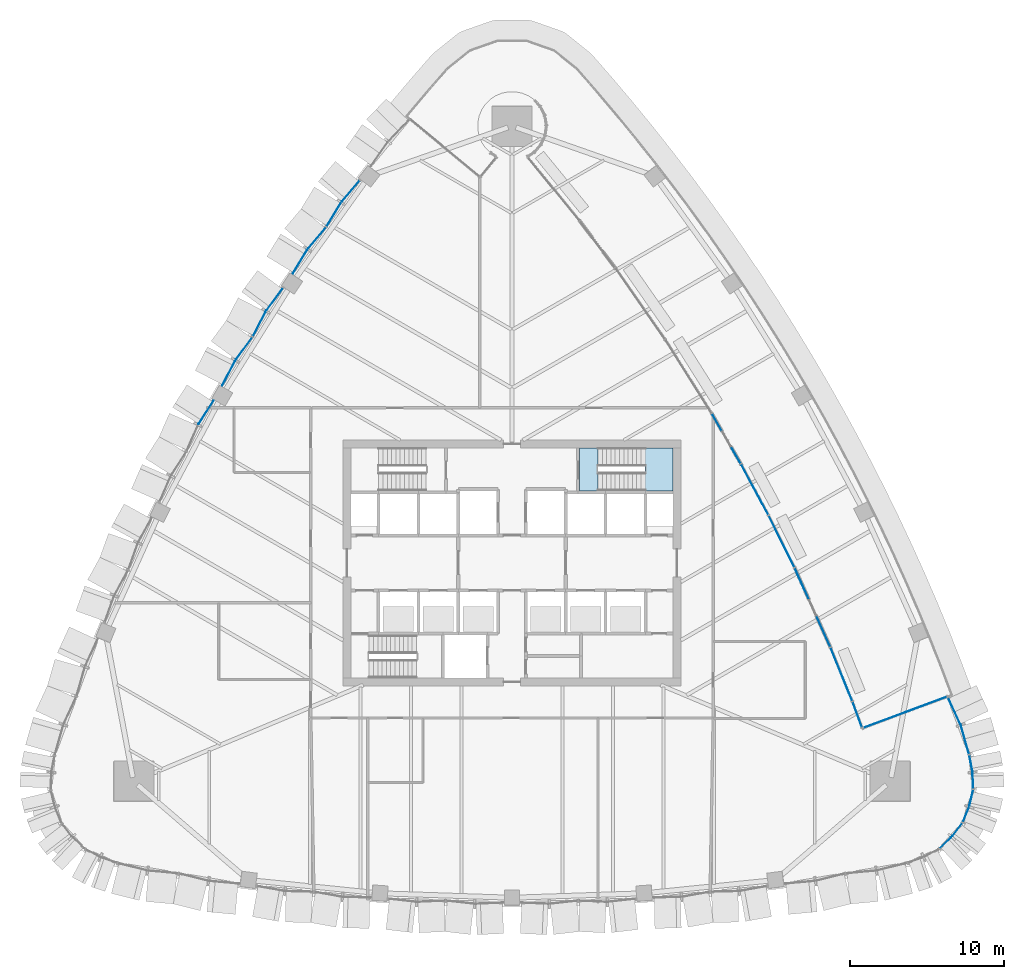
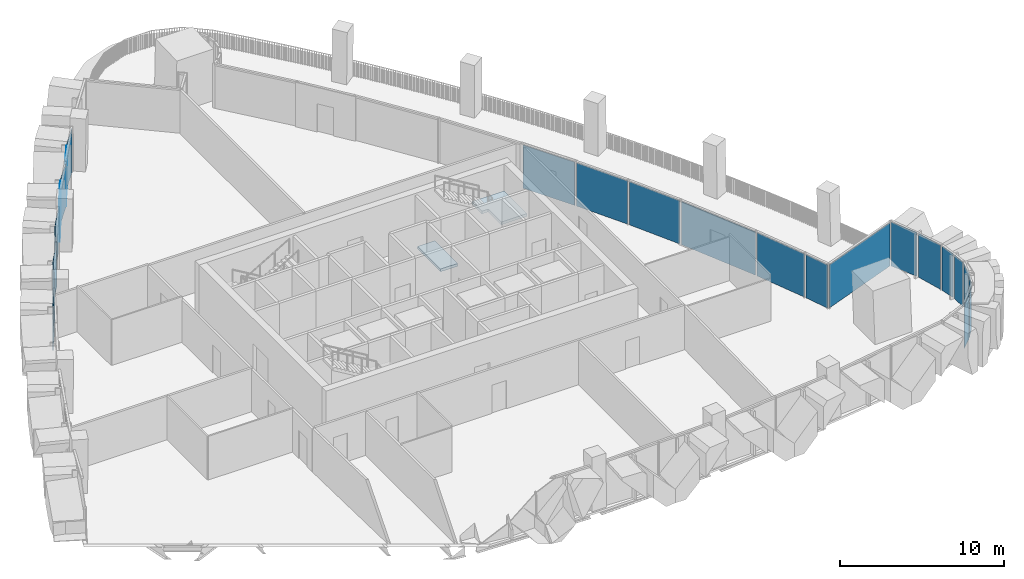
# One storey, part 10 of 22: 24 plates, 2 slabs, 15 elements without a shape of their own.
"""IFC4 building model written with IfcOpenShell, lengths in metres."""

from ifc_helpers import new_model, si_unit, direction, frame, origin, origin_2d, place, context, subcontext, project, spatial, polyline, rectangle, outline, extrude, material, layer, layer_set, type_object, element, aggregate, save


model = new_model("IFC4")

# Units and contexts
model_context = context("Model", 3, precision=1e-05, world=origin(), true_north=direction((0.0, 1.0)))
body_context = subcontext(model_context, "Body", "Model", "MODEL_VIEW")
ifc_project = project(units=[si_unit("LENGTHUNIT", "METRE"), si_unit("AREAUNIT", "SQUARE_METRE"), si_unit("VOLUMEUNIT", "CUBIC_METRE"), si_unit("PLANEANGLEUNIT", "RADIAN"), si_unit("MASSUNIT", "GRAM", prefix="KILO")], contexts=[model_context])

# Site, building, storey
site_placement = place(None, origin())
site = spatial("IfcSite", under=ifc_project, at=site_placement, CompositionType="ELEMENT")
building_placement = place(site_placement, origin())
building = spatial("IfcBuilding", under=site, at=building_placement, Name="Sierra Prisma Convention Tower", CompositionType="ELEMENT")
storey_placement = place(building_placement, frame((0.0, 0.0, 141.800048828125)))
storey = spatial("IfcBuildingStorey", under=building, at=storey_placement, Name="L30", CompositionType="ELEMENT", Elevation=141.800048828125)

# Curtain wall, plates
ifc_material_1 = material(Name="Aluminium and glass curtain wall", Category="aluminium")
ifc_layer_1 = layer(ifc_material_1, 0.179931640625)
ifc_layer_set_1 = layer_set([ifc_layer_1], Name="CW-2 Faceted crystal curtain wall")
curtain_wall_type_1 = type_object("IfcCurtainWallType", Name="CW-2 Faceted crystal curtain wall", PredefinedType="NOTDEFINED", material=ifc_layer_set_1)
curtain_wall_1_placement = place(storey_placement, origin())
curtain_wall_1 = element("IfcCurtainWall", 1, at=curtain_wall_1_placement, inside=storey, type_object=curtain_wall_type_1, Name="CW-2 NW2 L30", PredefinedType="NOTDEFINED")
ifc_material_2 = material(Name="Tinted glass bronze-grey IGU", Category="glass")
ifc_layer_2 = layer(ifc_material_2, 0.028076171875)
ifc_layer_set_2 = layer_set([ifc_layer_2], Name="CW-2 crystal pane")
plate_type_1 = type_object("IfcPlateType", Name="CW-2 crystal pane", PredefinedType="CURTAIN_PANEL", material=ifc_layer_set_2)
plate_1_placement = place(storey_placement, frame((-9.932861328125, 24.91162109375, 0.0), z_axis=(-0.76307502433, 0.646309915787, 0.0), x_axis=(-0.646309915787, -0.76307502433, 0.0)))
plate_1 = element("IfcPlate", 2, at=plate_1_placement, type_object=plate_type_1, Name="CW-2 pane NW2.1.1", PredefinedType="CURTAIN_PANEL", context=body_context, shape_type="SweptSolid", body=[
    extrude(outline(polyline([(0.0, 0.0), (1.7856027057392205, 0.0), (1.7856027057392205, 3.280029296875), (0.0, 3.280029296875), (0.0, 0.0)])), origin(), (0.0, 0.0, -1.0), 0.028076171875),
])
plate_2_placement = place(storey_placement, frame((-12.08935546875, 21.917724609375, 0.0), z_axis=(-0.854742017945, 0.519053063529, 0.0), x_axis=(0.519053063529, 0.854742017945, 0.0)))
plate_2 = element("IfcPlate", 3, at=plate_2_placement, type_object=plate_type_1, Name="CW-2 pane NW2.1.2", PredefinedType="CURTAIN_PANEL", context=body_context, shape_type="SweptSolid", body=[
    extrude(outline(polyline([(0.0, 0.0), (1.7854779744462876, 0.0), (1.7854779744462876, -3.280029296875), (0.0, -3.280029296875), (0.0, 0.0)])), origin(), (0.0, 0.0, -1.0), 0.028076171875),
])
plate_3_placement = place(storey_placement, frame((-12.130126953125, 21.86083984375, 0.0), z_axis=(-0.763017902143, 0.646377351869, 0.0), x_axis=(-0.646377351869, -0.763017902143, 0.0)))
plate_3 = element("IfcPlate", 4, at=plate_3_placement, type_object=plate_type_1, Name="CW-2 pane NW2.2.1", PredefinedType="CURTAIN_PANEL", context=body_context, shape_type="SweptSolid", body=[
    extrude(outline(polyline([(0.0, 0.0), (1.7854164150984184, 0.0), (1.7854164150984184, 3.280029296875), (0.0, 3.280029296875), (0.0, 0.0)])), origin(), (0.0, 0.0, -1.0), 0.028076171875),
])
plate_4_placement = place(storey_placement, frame((-14.28662109375, 18.8671875, 0.0), z_axis=(-0.854742017945, 0.519053063529, 0.0), x_axis=(0.519053063529, 0.854742017945, 0.0)))
plate_4 = element("IfcPlate", 5, at=plate_4_placement, type_object=plate_type_1, Name="CW-2 pane NW2.2.2", PredefinedType="CURTAIN_PANEL", context=body_context, shape_type="SweptSolid", body=[
    extrude(outline(polyline([(0.0, 0.0), (1.7854779744462876, 0.0), (1.7854779744462876, -3.280029296875), (0.0, -3.280029296875), (0.0, 0.0)])), origin(), (0.0, 0.0, -1.0), 0.028076171875),
])
aggregate(curtain_wall_1, [plate_1, plate_2, plate_3, plate_4])

curtain_wall_2_placement = place(storey_placement, origin())
curtain_wall_2 = element("IfcCurtainWall", 6, at=curtain_wall_2_placement, inside=storey, type_object=curtain_wall_type_1, Name="CW-2 NW3 L30", PredefinedType="NOTDEFINED")
plate_5_placement = place(storey_placement, frame((-14.927734375, 17.91015625, 0.0), z_axis=(-0.804679358251, 0.593709634758, 0.0), x_axis=(-0.593709634758, -0.804679358251, 0.0)))
plate_5 = element("IfcPlate", 7, at=plate_5_placement, type_object=plate_type_1, Name="CW-2 pane NW3.1.1", PredefinedType="CURTAIN_PANEL", context=body_context, shape_type="SweptSolid", body=[
    extrude(outline(polyline([(0.0, 0.0), (1.793707468944175, 0.0), (1.793707468944175, 3.280029296875), (0.0, 3.280029296875), (0.0, 0.0)])), origin(), (0.0, 0.0, -1.0), 0.028076171875),
])
plate_6_placement = place(storey_placement, frame((-16.88720703125, 14.764892578125, 0.0), z_axis=(-0.887657680571, 0.460503900226, 0.0), x_axis=(0.460503900226, 0.887657680571, 0.0)))
plate_6 = element("IfcPlate", 8, at=plate_6_placement, type_object=plate_type_1, Name="CW-2 pane NW3.1.2", PredefinedType="CURTAIN_PANEL", context=body_context, shape_type="SweptSolid", body=[
    extrude(outline(polyline([(0.0, 0.0), (1.7935303782880574, 0.0), (1.7935303782880574, -3.280029296875), (0.0, -3.280029296875), (0.0, 0.0)])), origin(), (0.0, 0.0, -1.0), 0.028076171875),
])
plate_7_placement = place(storey_placement, frame((-16.924072265625, 14.70556640625, 0.0), z_axis=(-0.804679358251, 0.593709634758, 0.0), x_axis=(-0.593709634758, -0.804679358251, 0.0)))
plate_7 = element("IfcPlate", 9, at=plate_7_placement, type_object=plate_type_1, Name="CW-2 pane NW3.2.1", PredefinedType="CURTAIN_PANEL", context=body_context, shape_type="SweptSolid", body=[
    extrude(outline(polyline([(0.0, 0.0), (1.793707468944175, 0.0), (1.793707468944175, 3.280029296875), (0.0, 3.280029296875), (0.0, 0.0)])), origin(), (0.0, 0.0, -1.0), 0.028076171875),
])
plate_8_placement = place(storey_placement, frame((-18.883544921875, 11.560302734375, 0.0), z_axis=(-0.887657680571, 0.460503900226, 0.0), x_axis=(0.460503900226, 0.887657680571, 0.0)))
plate_8 = element("IfcPlate", 10, at=plate_8_placement, type_object=plate_type_1, Name="CW-2 pane NW3.2.2", PredefinedType="CURTAIN_PANEL", context=body_context, shape_type="SweptSolid", body=[
    extrude(outline(polyline([(0.0, 0.0), (1.7935303782880574, 0.0), (1.7935303782880574, -3.280029296875), (0.0, -3.280029296875), (0.0, 0.0)])), origin(), (0.0, 0.0, -1.0), 0.028076171875),
])
aggregate(curtain_wall_2, [plate_5, plate_6, plate_7, plate_8])

# Curtain wall, plate
curtain_wall_3_placement = place(storey_placement, origin())
curtain_wall_3 = element("IfcCurtainWall", 11, at=curtain_wall_3_placement, inside=storey, type_object=curtain_wall_type_1, Name="CW-2 NW4 L30", PredefinedType="NOTDEFINED")
plate_9_placement = place(storey_placement, frame((-19.453125, 10.573486328125, 0.0), z_axis=(-0.842617335218, 0.538512791296, 0.0), x_axis=(-0.538512791296, -0.842617335218, 0.0)))
plate_9 = element("IfcPlate", 12, at=plate_9_placement, type_object=plate_type_1, Name="CW-2 pane NW4.1.1", PredefinedType="CURTAIN_PANEL", context=body_context, shape_type="SweptSolid", body=[
    extrude(outline(polyline([(0.0, 0.0), (1.7934955828537584, 0.0), (1.7934955828537584, 3.280029296875), (0.0, 3.280029296875), (0.0, 0.0)])), origin(), (0.0, 0.0, -1.0), 0.028076171875),
])
aggregate(curtain_wall_3, [plate_9])

# Curtain wall, plates
curtain_wall_4_placement = place(storey_placement, origin())
curtain_wall_4 = element("IfcCurtainWall", 13, at=curtain_wall_4_placement, inside=storey, type_object=curtain_wall_type_1, Name="CW-2 SE2 L30", PredefinedType="NOTDEFINED")
plate_10_placement = place(storey_placement, frame((27.86962890625, -18.587890625, 0.0), z_axis=(0.686872056463, -0.726778355518, 0.0), x_axis=(0.726778355518, 0.686872056463, 0.0)))
plate_10 = element("IfcPlate", 14, at=plate_10_placement, type_object=plate_type_1, Name="CW-2 pane SE2.1.1", PredefinedType="CURTAIN_PANEL", context=body_context, shape_type="SweptSolid", body=[
    extrude(outline(polyline([(0.0, 0.0), (1.0094447262422483, 0.0), (1.0094447262422483, 3.280029296875), (0.0, 3.280029296875), (0.0, 0.0)])), origin(), (0.0, 0.0, -1.0), 0.028076171875),
])
plate_11_placement = place(storey_placement, frame((29.30615234375, -16.9990234375, 0.0), z_axis=(0.792183168324, -0.610283399597, 0.0), x_axis=(-0.610283399597, -0.792183168324, 0.0)))
plate_11 = element("IfcPlate", 15, at=plate_11_placement, type_object=plate_type_1, Name="CW-2 pane SE2.1.2", PredefinedType="CURTAIN_PANEL", context=body_context, shape_type="SweptSolid", body=[
    extrude(outline(polyline([(0.0, 0.0), (1.0093127181262984, 0.0), (1.0093127181262984, -3.280029296875), (0.0, -3.280029296875), (0.0, 0.0)])), origin(), (0.0, 0.0, -1.0), 0.028076171875),
])
aggregate(curtain_wall_4, [plate_10, plate_11])

curtain_wall_5_placement = place(storey_placement, origin())
curtain_wall_5 = element("IfcCurtainWall", 16, at=curtain_wall_5_placement, inside=storey, type_object=curtain_wall_type_1, Name="CW-2 SE3 L30", PredefinedType="NOTDEFINED")
plate_12_placement = place(storey_placement, frame((29.37451171875, -16.88037109375, 0.0), z_axis=(0.924607959435, -0.380920098381, 0.0), x_axis=(0.380920098381, 0.924607959435, 0.0)))
plate_12 = element("IfcPlate", 17, at=plate_12_placement, type_object=plate_type_1, Name="CW-2 pane SE3.1.1", PredefinedType="CURTAIN_PANEL", context=body_context, shape_type="SweptSolid", body=[
    extrude(outline(polyline([(0.0, 0.0), (1.0094544394208282, 0.0), (1.0094544394208282, 3.280029296875), (0.0, 3.280029296875), (0.0, 0.0)])), origin(), (0.0, 0.0, -1.0), 0.028076171875),
])
plate_13_placement = place(storey_placement, frame((30.032470703125, -14.841796875, 0.0), z_axis=(0.972839942942, -0.231478822823, 0.0), x_axis=(-0.231478822823, -0.972839942942, 0.0)))
plate_13 = element("IfcPlate", 18, at=plate_13_placement, type_object=plate_type_1, Name="CW-2 pane SE3.1.2", PredefinedType="CURTAIN_PANEL", context=body_context, shape_type="SweptSolid", body=[
    extrude(outline(polyline([(0.0, 0.0), (1.009347530262836, 0.0), (1.009347530262836, -3.280029296875001), (0.0, -3.280029296875001), (0.0, 0.0)])), origin(), (0.0, 0.0, -1.0), 0.028076171875),
])
aggregate(curtain_wall_5, [plate_12, plate_13])

curtain_wall_6_placement = place(storey_placement, origin())
curtain_wall_6 = element("IfcCurtainWall", 19, at=curtain_wall_6_placement, inside=storey, type_object=curtain_wall_type_1, Name="CW-2 SE4 L30", PredefinedType="NOTDEFINED")
plate_14_placement = place(storey_placement, frame((30.046142578125, -14.70556640625, 0.0), z_axis=(0.999474567923, 0.032412776404, 0.0), x_axis=(-0.032412776404, 0.999474567923, 0.0)))
plate_14 = element("IfcPlate", 20, at=plate_14_placement, type_object=plate_type_1, Name="CW-2 pane SE4.1.1", PredefinedType="CURTAIN_PANEL", context=body_context, shape_type="SweptSolid", body=[
    extrude(outline(polyline([(0.0, 0.0), (1.009319391283659, 0.0), (1.009319391283659, 3.280029296875001), (0.0, 3.280029296875001), (0.0, 0.0)])), origin(), (0.0, 0.0, -1.0), 0.028076171875),
])
plate_15_placement = place(storey_placement, frame((29.80908203125, -12.57666015625, 0.0), z_axis=(0.982085726019, 0.188434675017, 0.0), x_axis=(0.188434675017, -0.982085726019, 0.0)))
plate_15 = element("IfcPlate", 21, at=plate_15_placement, type_object=plate_type_1, Name="CW-2 pane SE4.1.2", PredefinedType="CURTAIN_PANEL", context=body_context, shape_type="SweptSolid", body=[
    extrude(outline(polyline([(0.0, 0.0), (1.0092916649114723, 0.0), (1.0092916649114723, -3.280029296875001), (0.0, -3.280029296875001), (0.0, 0.0)])), origin(), (0.0, 0.0, -1.0), 0.028076171875),
])
aggregate(curtain_wall_6, [plate_14, plate_15])

curtain_wall_7_placement = place(storey_placement, origin())
curtain_wall_7 = element("IfcCurtainWall", 22, at=curtain_wall_7_placement, inside=storey, type_object=curtain_wall_type_1, Name="CW-2 NE1 L30", PredefinedType="NOTDEFINED")
plate_16_placement = place(storey_placement, frame((29.77685546875, -12.44140625, 0.0), z_axis=(0.961784723613, 0.273806766578, 0.0), x_axis=(-0.273806766578, 0.961784723613, 0.0)))
plate_16 = element("IfcPlate", 23, at=plate_16_placement, type_object=plate_type_1, Name="CW-2 pane NE1.1.1", PredefinedType="CURTAIN_PANEL", context=body_context, shape_type="SweptSolid", body=[
    extrude(outline(polyline([(0.0, 0.0), (1.904570809248519, 0.0), (1.904570809248519, 3.280029296875001), (0.0, 3.280029296875001), (0.0, 0.0)])), origin(), (0.0, 0.0, -1.0), 0.028076171875),
])
plate_17_placement = place(storey_placement, frame((28.40869140625, -8.760498046875, 0.0), z_axis=(0.907143559499, 0.420821295158, 0.0), x_axis=(0.420821295158, -0.907143559499, 0.0)))
plate_17 = element("IfcPlate", 24, at=plate_17_placement, type_object=plate_type_1, Name="CW-2 pane NE1.1.2", PredefinedType="CURTAIN_PANEL", context=body_context, shape_type="SweptSolid", body=[
    extrude(outline(polyline([(0.0, 0.0), (1.9046414264116567, 0.0), (1.9046414264116567, -3.280029296875001), (0.0, -3.280029296875001), (0.0, 0.0)])), origin(), (0.0, 0.0, -1.0), 0.028076171875),
])
aggregate(curtain_wall_7, [plate_16, plate_17])

# Curtain wall, plate
ifc_material_3 = material(Name="Aluminium and glass curtain wall", Category="aluminium")
ifc_layer_3 = layer(ifc_material_3, 0.179931640625)
ifc_layer_set_3 = layer_set([ifc_layer_3], Name="CW-6 Terrace recess curtain wall")
curtain_wall_type_2 = type_object("IfcCurtainWallType", Name="CW-6 Terrace recess curtain wall", PredefinedType="NOTDEFINED", material=ifc_layer_set_3)
curtain_wall_8_placement = place(storey_placement, origin())
curtain_wall_8 = element("IfcCurtainWall", 25, at=curtain_wall_8_placement, inside=storey, type_object=curtain_wall_type_2, Name="CW-6 R1 L30", PredefinedType="NOTDEFINED")
ifc_material_4 = material(Name="Tinted glass bronze-grey IGU", Category="glass")
ifc_layer_4 = layer(ifc_material_4, 0.028076171875)
ifc_layer_set_4 = layer_set([ifc_layer_4], Name="CW-6 glass panel")
plate_type_2 = type_object("IfcPlateType", Name="CW-6 glass panel", PredefinedType="CURTAIN_PANEL", material=ifc_layer_set_4)
plate_18_placement = place(storey_placement, frame((22.497314453125, -9.905517578125, 0.0), z_axis=(0.0, 0.0, 1.0), x_axis=(-0.346566635141, 0.938025355418, 0.0)))
plate_18 = element("IfcPlate", 26, at=plate_18_placement, type_object=plate_type_2, Name="CW-6 panel R1.1", PredefinedType="CURTAIN_PANEL", context=body_context, shape_type="SweptSolid", body=[
    extrude(rectangle(XDim=1.693359375, YDim=0.028076171875, at=origin_2d()), origin(), (0.0, 0.0, 1.0), 3.219970703125),
])
aggregate(curtain_wall_8, [plate_18])

curtain_wall_9_placement = place(storey_placement, origin())
curtain_wall_9 = element("IfcCurtainWall", 27, at=curtain_wall_9_placement, inside=storey, type_object=curtain_wall_type_2, Name="CW-6 R2 L30", PredefinedType="NOTDEFINED")
plate_19_placement = place(storey_placement, frame((21.46728515625, -7.284423828125, 0.0), z_axis=(0.0, 0.0, 1.0), x_axis=(-0.374905623733, 0.927062982377, 0.0)))
plate_19 = element("IfcPlate", 28, at=plate_19_placement, type_object=plate_type_2, Name="CW-6 panel R2.1", PredefinedType="CURTAIN_PANEL", context=body_context, shape_type="SweptSolid", body=[
    extrude(rectangle(XDim=3.65966796875, YDim=0.028076171875, at=origin_2d()), origin(), (0.0, 0.0, 1.0), 3.219970703125),
])
aggregate(curtain_wall_9, [plate_19])

curtain_wall_10_placement = place(storey_placement, origin())
curtain_wall_10 = element("IfcCurtainWall", 29, at=curtain_wall_10_placement, inside=storey, type_object=curtain_wall_type_2, Name="CW-6 R3 L30", PredefinedType="NOTDEFINED")
plate_20_placement = place(storey_placement, frame((19.585205078125, -2.924560546875, 0.0), z_axis=(0.0, 0.0, 1.0), x_axis=(-0.410489192904, 0.911865462943, 0.0)))
plate_20 = element("IfcPlate", 30, at=plate_20_placement, type_object=plate_type_2, Name="CW-6 panel R3.1", PredefinedType="CURTAIN_PANEL", context=body_context, shape_type="SweptSolid", body=[
    extrude(rectangle(XDim=5.559326171875, YDim=0.028076171875, at=origin_2d()), origin(), (0.0, 0.0, 1.0), 3.219970703125),
])
aggregate(curtain_wall_10, [plate_20])

curtain_wall_11_placement = place(storey_placement, origin())
curtain_wall_11 = element("IfcCurtainWall", 31, at=curtain_wall_11_placement, inside=storey, type_object=curtain_wall_type_2, Name="CW-6 R4 L30", PredefinedType="NOTDEFINED")
plate_21_placement = place(storey_placement, frame((17.5693359375, 1.374755859375, 0.0), z_axis=(0.0, 0.0, 1.0), x_axis=(-0.445458196116, 0.895302739588, 0.0)))
plate_21 = element("IfcPlate", 32, at=plate_21_placement, type_object=plate_type_2, Name="CW-6 panel R4.1", PredefinedType="CURTAIN_PANEL", context=body_context, shape_type="SweptSolid", body=[
    extrude(rectangle(XDim=3.65966796875, YDim=0.028076171875, at=origin_2d()), origin(), (0.0, 0.0, 1.0), 3.219970703125),
])
aggregate(curtain_wall_11, [plate_21])

curtain_wall_12_placement = place(storey_placement, origin())
curtain_wall_12 = element("IfcCurtainWall", 33, at=curtain_wall_12_placement, inside=storey, type_object=curtain_wall_type_2, Name="CW-6 R5 L30", PredefinedType="NOTDEFINED")
plate_22_placement = place(storey_placement, frame((15.824462890625, 4.749755859375, 0.0), z_axis=(0.0, 0.0, 1.0), x_axis=(-0.472955696391, 0.881086209886, 0.0)))
plate_22 = element("IfcPlate", 34, at=plate_22_placement, type_object=plate_type_2, Name="CW-6 panel R5.1", PredefinedType="CURTAIN_PANEL", context=body_context, shape_type="SweptSolid", body=[
    extrude(rectangle(XDim=3.65966796875, YDim=0.028076171875, at=origin_2d()), origin(), (0.0, 0.0, 1.0), 3.219970703125),
])
aggregate(curtain_wall_12, [plate_22])

curtain_wall_13_placement = place(storey_placement, origin())
curtain_wall_13 = element("IfcCurtainWall", 35, at=curtain_wall_13_placement, inside=storey, type_object=curtain_wall_type_2, Name="CW-6 R6 L30", PredefinedType="NOTDEFINED")
plate_23_placement = place(storey_placement, frame((13.975830078125, 8.069091796875, 0.0), z_axis=(0.0, 0.0, 1.0), x_axis=(-0.5, 0.866025403784, 0.0)))
plate_23 = element("IfcPlate", 36, at=plate_23_placement, type_object=plate_type_2, Name="CW-6 panel R6.1", PredefinedType="CURTAIN_PANEL", context=body_context, shape_type="SweptSolid", body=[
    extrude(rectangle(XDim=3.65966796875, YDim=0.028076171875, at=origin_2d()), origin(), (0.0, 0.0, 1.0), 3.219970703125),
])
aggregate(curtain_wall_13, [plate_23])

curtain_wall_14_placement = place(storey_placement, origin())
curtain_wall_14 = element("IfcCurtainWall", 37, at=curtain_wall_14_placement, inside=storey, type_object=curtain_wall_type_2, Name="CW-6 RT1 L30", PredefinedType="NOTDEFINED")
plate_24_placement = place(storey_placement, frame((25.599609375, -9.730224609375, 0.0), z_axis=(0.0, 0.0, 1.0), x_axis=(-0.937326911693, -0.34845123133, 0.0)))
plate_24 = element("IfcPlate", 38, at=plate_24_placement, type_object=plate_type_2, Name="CW-6 panel RT1.1", PredefinedType="CURTAIN_PANEL", context=body_context, shape_type="SweptSolid", body=[
    extrude(rectangle(XDim=5.8017578125, YDim=0.028076171875, at=origin_2d()), origin(), (0.0, 0.0, 1.0), 3.219970703125),
])
aggregate(curtain_wall_14, [plate_24])

# Stair, slab
ifc_material_5 = material(Name="Concrete C30/37", Category="concrete")
stair_type = type_object("IfcStairType", Name="Stair dog-leg 1200 RC", PredefinedType="HALF_TURN_STAIR", material=ifc_material_5)
stair_placement = place(storey_placement, origin())
stair = element("IfcStair", 39, at=stair_placement, inside=storey, type_object=stair_type, Name="L30 S4", PredefinedType="HALF_TURN_STAIR")
ifc_material_6 = material(Name="Concrete C35/45", Category="concrete")
ifc_layer_5 = layer(ifc_material_6, 0.199951171875)
ifc_layer_set_5 = layer_set([ifc_layer_5], Name="Stair landing slab")
slab_type = type_object("IfcSlabType", Name="Stair landing slab", PredefinedType="LANDING", material=ifc_layer_set_5)
slab_1_placement = place(storey_placement, frame((0.0, 0.0, 1.800048828125)))
slab_1 = element("IfcSlab", 40, at=slab_1_placement, type_object=slab_type, Name="S4 landing 1", PredefinedType="LANDING", context=body_context, shape_type="SweptSolid", body=[
    extrude(outline(polyline([(10.5, 7.5), (10.5, 4.699951171875), (8.677978515625, 4.699951171875), (8.677978515625, 6.300048828125), (8.22998046875, 6.300048828125), (8.22998046875, 7.5), (10.5, 7.5)])), origin(), (0.0, 0.0, 1.0), 0.199951171875),
])
aggregate(stair, [slab_1])

# Slab
slab_2_placement = place(storey_placement, frame((0.0, 0.0, -0.199951171875)))
element("IfcSlab", 41, at=slab_2_placement, inside=storey, type_object=slab_type, Name="S4 floor landing L30", PredefinedType="LANDING", context=body_context, shape_type="SweptSolid", body=[
    extrude(outline(polyline([(4.39990234375, 4.699951171875), (5.60205078125, 4.699951171875), (5.60205078125, 7.5), (4.39990234375, 7.5), (4.39990234375, 4.699951171875)])), origin(), (0.0, 0.0, 1.0), 0.199951171875),
])

save(model, "model.ifc")
